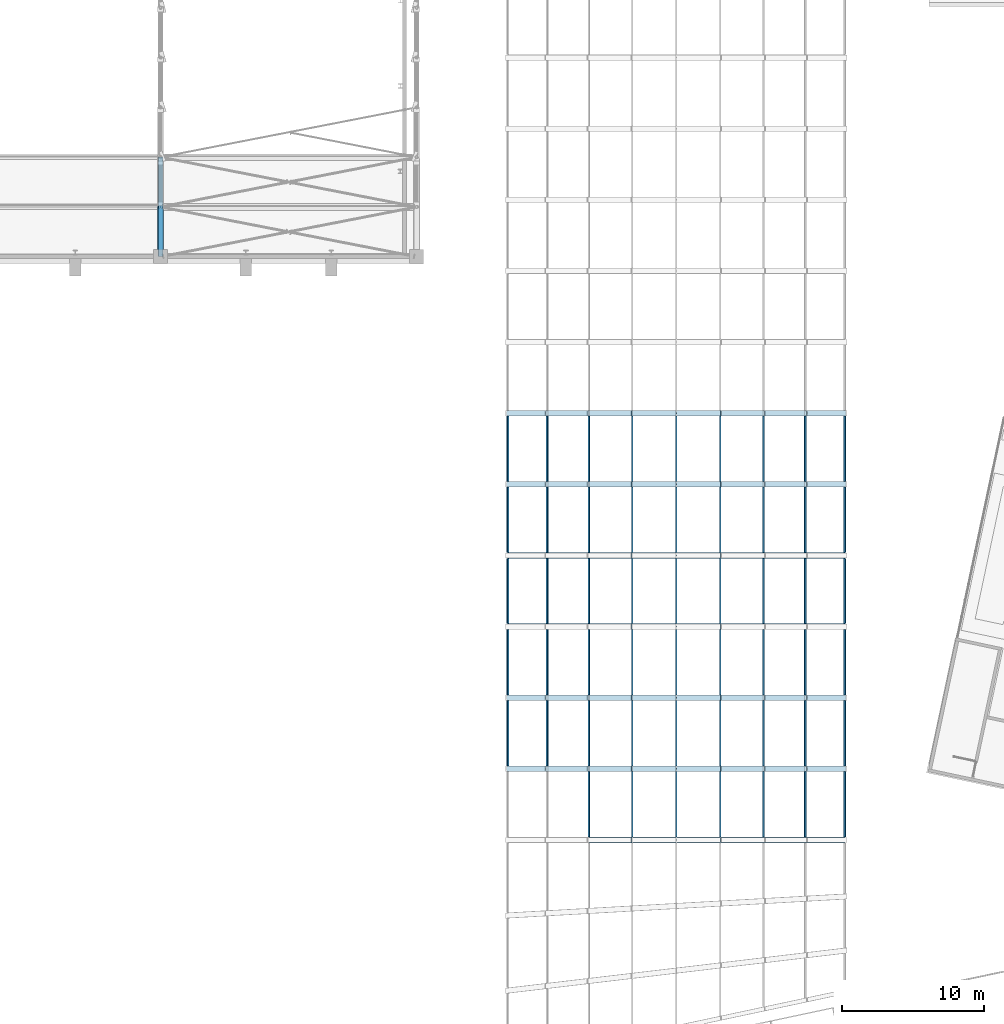
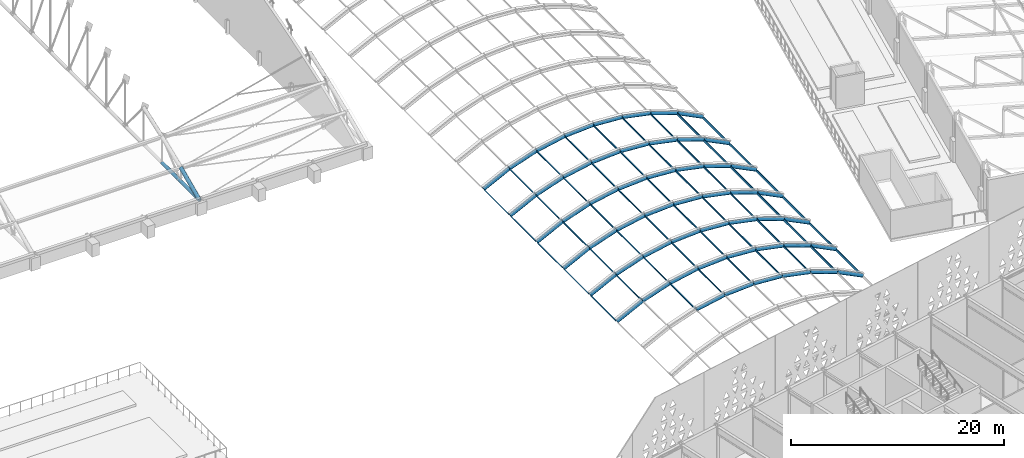
# One storey, part 43 of 196: 108 members.
"""IFC4 building model written with IfcOpenShell, lengths in metres."""

from ifc_helpers import new_model, si_unit, direction, frame, origin, origin_2d, place, context, subcontext, project, spatial, hollow_rectangle, hollow_circle, extrude, material, material_profile, profile_set, type_object, element, save


model = new_model("IFC4")

# Units and contexts
model_context = context("Model", 3, precision=1e-05, world=origin(), true_north=direction((0.0, 1.0)))
body_context = subcontext(model_context, "Body", "Model", "MODEL_VIEW")
ifc_project = project(units=[si_unit("LENGTHUNIT", "METRE"), si_unit("AREAUNIT", "SQUARE_METRE"), si_unit("VOLUMEUNIT", "CUBIC_METRE"), si_unit("PLANEANGLEUNIT", "RADIAN"), si_unit("MASSUNIT", "GRAM", prefix="KILO")], contexts=[model_context])

# Site, building, storey
site_placement = place(None, origin())
site = spatial("IfcSite", under=ifc_project, at=site_placement, CompositionType="ELEMENT")
building_placement = place(site_placement, origin())
building = spatial("IfcBuilding", under=site, at=building_placement, Name="Okhra Congress Centre", CompositionType="ELEMENT")
storey_placement = place(building_placement, frame((0.0, 0.0, 12.0)))
storey = spatial("IfcBuildingStorey", under=building, at=storey_placement, Name="L02", CompositionType="ELEMENT", Elevation=12.0)

# Members
ifc_material_1 = material(Name="Steel S355J2H", Category="steel")
ifc_material_profile_1 = material_profile(ifc_material_1, hollow_circle(Radius=0.177734375, WallThickness=0.02490234375, at=origin_2d()), Name="CHS 355.6x25.0")
ifc_profile_set_1 = profile_set([ifc_material_profile_1], Name="Steel S355J2H")
member_type_1 = type_object("IfcMemberType", Name="CHS 355.6x25.0", PredefinedType="CHORD", material=ifc_profile_set_1)
member_1_placement = place(storey_placement, frame((136.0, 132.0, 1.39990234375), z_axis=(0.0, 1.0, 0.0), x_axis=(-1.0, 0.0, 0.0)))
element("IfcMember", 1, at=member_1_placement, inside=storey, type_object=member_type_1, Name="EH.MEM.L02.T7-BOT-01", PredefinedType="CHORD", context=body_context, shape_type="SweptSolid", body=[
    extrude(hollow_circle(Radius=0.177734375, WallThickness=0.02490234375, at=origin_2d()), origin(), (0.0, 0.0, 1.0), 7.0),
])
ifc_material_profile_2 = material_profile(ifc_material_1, hollow_circle(Radius=0.203125, WallThickness=0.02490234375, at=origin_2d()), Name="CHS 406.4x25.0")
ifc_profile_set_2 = profile_set([ifc_material_profile_2], Name="Steel S355J2H")
member_type_2 = type_object("IfcMemberType", Name="CHS 406.4x25.0", PredefinedType="CHORD", material=ifc_profile_set_2)
member_2_placement = place(storey_placement, frame((136.0, 132.0, 1.39990234375), z_axis=(0.0, 0.912710800597, 0.408606160591), x_axis=(-1.0, 0.0, 0.0)))
element("IfcMember", 2, at=member_2_placement, inside=storey, type_object=member_type_2, Name="EH.MEM.L02.T7-TOP-01", PredefinedType="CHORD", context=body_context, shape_type="SweptSolid", body=[
    extrude(hollow_circle(Radius=0.203125, WallThickness=0.02490234375, at=origin_2d()), origin(), (0.0, 0.0, 1.0), 3.834716796875),
])
ifc_material_2 = material(Name="Steel S355J2", Category="steel")
ifc_material_profile_3 = material_profile(ifc_material_2, hollow_rectangle(XDim=0.10009765625, YDim=0.14990234375, WallThickness=0.00634765625, at=origin_2d()), Name="RHS 150x100x6.3")
ifc_profile_set_3 = profile_set([ifc_material_profile_3], Name="Steel S355J2")
member_type_3 = type_object("IfcMemberType", Name="Steel purlin RHS 150x100x6.3", PredefinedType="PURLIN", material=ifc_profile_set_3)
for number, where, z_axis, x_axis, name in (
    (3, (166.109619140625, 91.203125, 3.18505859375), (0.0, 1.0, 0.0), (-0.965379940391, 0.0, -0.260847792191), "Vault purlin 4.4"),
    (4, (169.15283203125, 91.203125, 3.79541015625), (0.0, 1.0, 0.0), (-0.991307202734, 0.0, -0.131567586459), "Vault purlin 4.5"),
    (5, (172.25, 91.203125, 4.0), (0.0, 1.0, 0.0), (-1.0, 0.0, 0.0), "Vault purlin 4.6"),
    (6, (175.34716796875, 91.203125, 3.79541015625), (0.0, 1.0, 0.0), (-0.991307202734, 0.0, 0.131567586459), "Vault purlin 4.7"),
    (7, (178.390380859375, 91.203125, 3.18505859375), (0.0, 1.0, 0.0), (-0.965379940391, 0.0, 0.260847792191), "Vault purlin 4.8"),
    (8, (166.109619140625, 96.203125, 3.18505859375), (0.0, 1.0, 0.0), (-0.965379940391, 0.0, -0.260847792191), "Vault purlin 5.4"),
    (9, (169.15283203125, 96.203125, 3.79541015625), (0.0, 1.0, 0.0), (-0.991307202734, 0.0, -0.131567586459), "Vault purlin 5.5"),
    (10, (172.25, 96.203125, 4.0), (0.0, 1.0, 0.0), (-1.0, 0.0, 0.0), "Vault purlin 5.6"),
    (11, (175.34716796875, 96.203125, 3.79541015625), (0.0, 1.0, 0.0), (-0.991307202734, 0.0, 0.131567586459), "Vault purlin 5.7"),
    (12, (178.390380859375, 96.203125, 3.18505859375), (0.0, 1.0, 0.0), (-0.965379940391, 0.0, 0.260847792191), "Vault purlin 5.8"),
    (13, (166.109619140625, 101.203125, 3.18505859375), (0.0, 1.0, 0.0), (-0.965379940391, 0.0, -0.260847792191), "Vault purlin 6.4"),
    (14, (169.15283203125, 101.203125, 3.79541015625), (0.0, 1.0, 0.0), (-0.991307202734, 0.0, -0.131567586459), "Vault purlin 6.5"),
    (15, (172.25, 101.203125, 4.0), (0.0, 1.0, 0.0), (-1.0, 0.0, 0.0), "Vault purlin 6.6"),
    (16, (175.34716796875, 101.203125, 3.79541015625), (0.0, 1.0, 0.0), (-0.991307202734, 0.0, 0.131567586459), "Vault purlin 6.7"),
    (17, (178.390380859375, 101.203125, 3.18505859375), (0.0, 1.0, 0.0), (-0.965379940391, 0.0, 0.260847792191), "Vault purlin 6.8"),
    (18, (166.109619140625, 106.203125, 3.18505859375), (0.0, 1.0, 0.0), (-0.965379940391, 0.0, -0.260847792191), "Vault purlin 7.4"),
    (19, (169.15283203125, 106.203125, 3.79541015625), (0.0, 1.0, 0.0), (-0.991307202734, 0.0, -0.131567586459), "Vault purlin 7.5"),
    (20, (172.25, 106.203125, 4.0), (0.0, 1.0, 0.0), (-1.0, 0.0, 0.0), "Vault purlin 7.6"),
    (21, (175.34716796875, 106.203125, 3.79541015625), (0.0, 1.0, 0.0), (-0.991307202734, 0.0, 0.131567586459), "Vault purlin 7.7"),
    (22, (178.390380859375, 106.203125, 3.18505859375), (0.0, 1.0, 0.0), (-0.965379940391, 0.0, 0.260847792191), "Vault purlin 7.8"),
    (23, (166.109619140625, 111.203125, 3.18505859375), (0.0, 1.0, 0.0), (-0.965379940391, 0.0, -0.260847792191), "Vault purlin 8.4"),
    (24, (169.15283203125, 111.203125, 3.79541015625), (0.0, 1.0, 0.0), (-0.991307202734, 0.0, -0.131567586459), "Vault purlin 8.5"),
    (25, (172.25, 111.203125, 4.0), (0.0, 1.0, 0.0), (-1.0, 0.0, 0.0), "Vault purlin 8.6"),
    (26, (175.34716796875, 111.203125, 3.79541015625), (0.0, 1.0, 0.0), (-0.991307202734, 0.0, 0.131567586459), "Vault purlin 8.7"),
    (27, (178.390380859375, 111.203125, 3.18505859375), (0.0, 1.0, 0.0), (-0.965379940391, 0.0, 0.260847792191), "Vault purlin 8.8"),
    (28, (166.109619140625, 116.203125, 3.18505859375), (0.0, 1.0, 0.0), (-0.965379940391, 0.0, -0.260847792191), "Vault purlin 9.4"),
    (29, (169.15283203125, 116.203125, 3.79541015625), (0.0, 1.0, 0.0), (-0.991307202734, 0.0, -0.131567586459), "Vault purlin 9.5"),
    (30, (172.25, 116.203125, 4.0), (0.0, 1.0, 0.0), (-1.0, 0.0, 0.0), "Vault purlin 9.6"),
    (31, (175.34716796875, 116.203125, 3.79541015625), (0.0, 1.0, 0.0), (-0.991307202734, 0.0, 0.131567586459), "Vault purlin 9.7"),
    (32, (178.390380859375, 116.203125, 3.18505859375), (0.0, 1.0, 0.0), (-0.965379940391, 0.0, 0.260847792191), "Vault purlin 9.8"),
):
    element("IfcMember", number, at=place(storey_placement, frame(where, z_axis=z_axis, x_axis=x_axis)), inside=storey, type_object=member_type_3, Name=name, PredefinedType="PURLIN", context=body_context, shape_type="SweptSolid", body=[
        extrude(hollow_rectangle(XDim=0.10009765625, YDim=0.14990234375, WallThickness=0.00634765625, at=origin_2d()), origin(), (0.0, 0.0, 1.0), 4.59375),
    ])
ifc_material_profile_4 = material_profile(ifc_material_2, hollow_rectangle(XDim=0.10009765625, YDim=0.199951171875, WallThickness=0.008056640625, at=origin_2d()), Name="RHS 200x100x8")
ifc_profile_set_4 = profile_set([ifc_material_profile_4], Name="Steel S355J2")
member_type_4 = type_object("IfcMemberType", Name="Steel purlin RHS 200x100x8", PredefinedType="PURLIN", material=ifc_profile_set_4)
for number, where, z_axis, x_axis, name in (
    (33, (181.3173828125, 91.203125, 2.156494140625), (0.0, 1.0, 0.0), (-0.922668973833, 0.0, 0.38559300399), "Vault purlin 4.9"),
    (34, (184.093017578125, 91.203125, 0.77490234375), (0.0, 1.0, 0.0), (-0.86391685861, 0.0, 0.503634452167), "Vault purlin 4.10"),
    (35, (160.406982421875, 96.203125, 0.77490234375), (0.0, 1.0, 0.0), (-0.86391685861, 0.0, -0.503634452167), "Vault purlin 5.2"),
    (36, (163.1826171875, 96.203125, 2.156494140625), (0.0, 1.0, 0.0), (-0.922668973833, 0.0, -0.38559300399), "Vault purlin 5.3"),
    (37, (181.3173828125, 96.203125, 2.156494140625), (0.0, 1.0, 0.0), (-0.922668973833, 0.0, 0.38559300399), "Vault purlin 5.9"),
    (38, (184.093017578125, 96.203125, 0.77490234375), (0.0, 1.0, 0.0), (-0.86391685861, 0.0, 0.503634452167), "Vault purlin 5.10"),
    (39, (160.406982421875, 101.203125, 0.77490234375), (0.0, 1.0, 0.0), (-0.86391685861, 0.0, -0.503634452167), "Vault purlin 6.2"),
    (40, (163.1826171875, 101.203125, 2.156494140625), (0.0, 1.0, 0.0), (-0.922668973833, 0.0, -0.38559300399), "Vault purlin 6.3"),
    (41, (181.3173828125, 101.203125, 2.156494140625), (0.0, 1.0, 0.0), (-0.922668973833, 0.0, 0.38559300399), "Vault purlin 6.9"),
    (42, (184.093017578125, 101.203125, 0.77490234375), (0.0, 1.0, 0.0), (-0.86391685861, 0.0, 0.503634452167), "Vault purlin 6.10"),
    (43, (160.406982421875, 106.203125, 0.77490234375), (0.0, 1.0, 0.0), (-0.86391685861, 0.0, -0.503634452167), "Vault purlin 7.2"),
    (44, (163.1826171875, 106.203125, 2.156494140625), (0.0, 1.0, 0.0), (-0.922668973833, 0.0, -0.38559300399), "Vault purlin 7.3"),
    (45, (181.3173828125, 106.203125, 2.156494140625), (0.0, 1.0, 0.0), (-0.922668973833, 0.0, 0.38559300399), "Vault purlin 7.9"),
    (46, (184.093017578125, 106.203125, 0.77490234375), (0.0, 1.0, 0.0), (-0.86391685861, 0.0, 0.503634452167), "Vault purlin 7.10"),
    (47, (160.406982421875, 111.203125, 0.77490234375), (0.0, 1.0, 0.0), (-0.86391685861, 0.0, -0.503634452167), "Vault purlin 8.2"),
    (48, (163.1826171875, 111.203125, 2.156494140625), (0.0, 1.0, 0.0), (-0.922668973833, 0.0, -0.38559300399), "Vault purlin 8.3"),
    (49, (181.3173828125, 111.203125, 2.156494140625), (0.0, 1.0, 0.0), (-0.922668973833, 0.0, 0.38559300399), "Vault purlin 8.9"),
    (50, (184.093017578125, 111.203125, 0.77490234375), (0.0, 1.0, 0.0), (-0.86391685861, 0.0, 0.503634452167), "Vault purlin 8.10"),
    (51, (160.406982421875, 116.203125, 0.77490234375), (0.0, 1.0, 0.0), (-0.86391685861, 0.0, -0.503634452167), "Vault purlin 9.2"),
    (52, (163.1826171875, 116.203125, 2.156494140625), (0.0, 1.0, 0.0), (-0.922668973833, 0.0, -0.38559300399), "Vault purlin 9.3"),
    (53, (181.3173828125, 116.203125, 2.156494140625), (0.0, 1.0, 0.0), (-0.922668973833, 0.0, 0.38559300399), "Vault purlin 9.9"),
    (54, (184.093017578125, 116.203125, 0.77490234375), (0.0, 1.0, 0.0), (-0.86391685861, 0.0, 0.503634452167), "Vault purlin 9.10"),
):
    element("IfcMember", number, at=place(storey_placement, frame(where, z_axis=z_axis, x_axis=x_axis)), inside=storey, type_object=member_type_4, Name=name, PredefinedType="PURLIN", context=body_context, shape_type="SweptSolid", body=[
        extrude(hollow_rectangle(XDim=0.10009765625, YDim=0.199951171875, WallThickness=0.008056640625, at=origin_2d()), origin(), (0.0, 0.0, 1.0), 4.59375),
    ])
ifc_material_profile_5 = material_profile(ifc_material_2, hollow_circle(Radius=0.203125, WallThickness=0.01611328125, at=origin_2d()), Name="CHS 406.4x16")
ifc_profile_set_5 = profile_set([ifc_material_profile_5], Name="Steel S355J2")
member_type_5 = type_object("IfcMemberType", Name="Tubular steel arch rib CHS 406x16", PredefinedType="USERDEFINED", material=ifc_profile_set_5)
for number, where, z_axis, x_axis, name in (
    (55, (166.122802734375, 91.0, 3.187744140625), (0.980479837883, 0.0, 0.196619651879), (0.0, 1.0, 0.0), "Arch rib 4.5"),
    (56, (169.166259765625, 91.0, 3.796142578125), (0.997823956231, 0.0, 0.065934455123), (0.0, 1.0, 0.0), "Arch rib 4.6"),
    (57, (172.263427734375, 91.0, 3.9990234375), (0.997823956231, 0.0, -0.065934455123), (0.0, 1.0, 0.0), "Arch rib 4.7"),
    (58, (175.3603515625, 91.0, 3.792724609375), (0.980479837883, 0.0, -0.196619651879), (0.0, 1.0, 0.0), "Arch rib 4.8"),
):
    element("IfcMember", number, at=place(storey_placement, frame(where, z_axis=z_axis, x_axis=x_axis)), inside=storey, type_object=member_type_5, Name=name, ObjectType="Arch rib", PredefinedType="USERDEFINED", context=body_context, shape_type="SweptSolid", body=[
        extrude(hollow_circle(Radius=0.203125, WallThickness=0.01611328125, at=origin_2d()), origin(), (0.0, 0.0, 1.0), 3.076904296875),
    ])
for number, where, z_axis, x_axis, name in (
    (59, (178.4033203125, 91.0, 3.1806640625), (0.946089135599, 0.0, -0.323906386942), (0.0, 1.0, 0.0), "Arch rib 4.9"),
    (60, (181.339111328125, 91.0, 2.173583984375), (0.895219276519, 0.0, -0.44562590471), (0.0, 1.0, 0.0), "Arch rib 4.10"),
    (61, (160.406494140625, 96.0, 0.802490234375), (0.895219276519, 0.0, 0.44562590471), (0.0, 1.0, 0.0), "Arch rib 5.3"),
    (62, (163.185791015625, 96.0, 2.18408203125), (0.946089135599, 0.0, 0.323906386942), (0.0, 1.0, 0.0), "Arch rib 5.4"),
):
    element("IfcMember", number, at=place(storey_placement, frame(where, z_axis=z_axis, x_axis=x_axis)), inside=storey, type_object=member_type_5, Name=name, ObjectType="Arch rib", PredefinedType="USERDEFINED", context=body_context, shape_type="SweptSolid", body=[
        extrude(hollow_circle(Radius=0.203125, WallThickness=0.01611328125, at=origin_2d()), origin(), (0.0, 0.0, 1.0), 3.07666015625),
    ])
for number, where, z_axis, x_axis, name in (
    (63, (166.122802734375, 96.0, 3.187744140625), (0.980479837883, 0.0, 0.196619651879), (0.0, 1.0, 0.0), "Arch rib 5.5"),
    (64, (169.166259765625, 96.0, 3.796142578125), (0.997823956231, 0.0, 0.065934455123), (0.0, 1.0, 0.0), "Arch rib 5.6"),
    (65, (172.263427734375, 96.0, 3.9990234375), (0.997823956231, 0.0, -0.065934455123), (0.0, 1.0, 0.0), "Arch rib 5.7"),
    (66, (175.3603515625, 96.0, 3.792724609375), (0.980479837883, 0.0, -0.196619651879), (0.0, 1.0, 0.0), "Arch rib 5.8"),
):
    element("IfcMember", number, at=place(storey_placement, frame(where, z_axis=z_axis, x_axis=x_axis)), inside=storey, type_object=member_type_5, Name=name, ObjectType="Arch rib", PredefinedType="USERDEFINED", context=body_context, shape_type="SweptSolid", body=[
        extrude(hollow_circle(Radius=0.203125, WallThickness=0.01611328125, at=origin_2d()), origin(), (0.0, 0.0, 1.0), 3.076904296875),
    ])
for number, where, z_axis, x_axis, name in (
    (67, (178.4033203125, 96.0, 3.1806640625), (0.946089135599, 0.0, -0.323906386942), (0.0, 1.0, 0.0), "Arch rib 5.9"),
    (68, (181.339111328125, 96.0, 2.173583984375), (0.895219276519, 0.0, -0.44562590471), (0.0, 1.0, 0.0), "Arch rib 5.10"),
    (69, (160.406494140625, 101.0, 0.802490234375), (0.895219276519, 0.0, 0.44562590471), (0.0, 1.0, 0.0), "Arch rib 6.3"),
    (70, (163.185791015625, 101.0, 2.18408203125), (0.946089135599, 0.0, 0.323906386942), (0.0, 1.0, 0.0), "Arch rib 6.4"),
):
    element("IfcMember", number, at=place(storey_placement, frame(where, z_axis=z_axis, x_axis=x_axis)), inside=storey, type_object=member_type_5, Name=name, ObjectType="Arch rib", PredefinedType="USERDEFINED", context=body_context, shape_type="SweptSolid", body=[
        extrude(hollow_circle(Radius=0.203125, WallThickness=0.01611328125, at=origin_2d()), origin(), (0.0, 0.0, 1.0), 3.07666015625),
    ])
for number, where, z_axis, x_axis, name in (
    (71, (166.122802734375, 101.0, 3.187744140625), (0.980479837883, 0.0, 0.196619651879), (0.0, 1.0, 0.0), "Arch rib 6.5"),
    (72, (169.166259765625, 101.0, 3.796142578125), (0.997823956231, 0.0, 0.065934455123), (0.0, 1.0, 0.0), "Arch rib 6.6"),
    (73, (172.263427734375, 101.0, 3.9990234375), (0.997823956231, 0.0, -0.065934455123), (0.0, 1.0, 0.0), "Arch rib 6.7"),
    (74, (175.3603515625, 101.0, 3.792724609375), (0.980479837883, 0.0, -0.196619651879), (0.0, 1.0, 0.0), "Arch rib 6.8"),
):
    element("IfcMember", number, at=place(storey_placement, frame(where, z_axis=z_axis, x_axis=x_axis)), inside=storey, type_object=member_type_5, Name=name, ObjectType="Arch rib", PredefinedType="USERDEFINED", context=body_context, shape_type="SweptSolid", body=[
        extrude(hollow_circle(Radius=0.203125, WallThickness=0.01611328125, at=origin_2d()), origin(), (0.0, 0.0, 1.0), 3.076904296875),
    ])
for number, where, z_axis, x_axis, name in (
    (75, (178.4033203125, 101.0, 3.1806640625), (0.946089135599, 0.0, -0.323906386942), (0.0, 1.0, 0.0), "Arch rib 6.9"),
    (76, (181.339111328125, 101.0, 2.173583984375), (0.895219276519, 0.0, -0.44562590471), (0.0, 1.0, 0.0), "Arch rib 6.10"),
    (77, (160.406494140625, 106.0, 0.802490234375), (0.895219276519, 0.0, 0.44562590471), (0.0, 1.0, 0.0), "Arch rib 7.3"),
    (78, (163.185791015625, 106.0, 2.18408203125), (0.946089135599, 0.0, 0.323906386942), (0.0, 1.0, 0.0), "Arch rib 7.4"),
):
    element("IfcMember", number, at=place(storey_placement, frame(where, z_axis=z_axis, x_axis=x_axis)), inside=storey, type_object=member_type_5, Name=name, ObjectType="Arch rib", PredefinedType="USERDEFINED", context=body_context, shape_type="SweptSolid", body=[
        extrude(hollow_circle(Radius=0.203125, WallThickness=0.01611328125, at=origin_2d()), origin(), (0.0, 0.0, 1.0), 3.07666015625),
    ])
for number, where, z_axis, x_axis, name in (
    (79, (166.122802734375, 106.0, 3.187744140625), (0.980479837883, 0.0, 0.196619651879), (0.0, 1.0, 0.0), "Arch rib 7.5"),
    (80, (169.166259765625, 106.0, 3.796142578125), (0.997823956231, 0.0, 0.065934455123), (0.0, 1.0, 0.0), "Arch rib 7.6"),
    (81, (172.263427734375, 106.0, 3.9990234375), (0.997823956231, 0.0, -0.065934455123), (0.0, 1.0, 0.0), "Arch rib 7.7"),
    (82, (175.3603515625, 106.0, 3.792724609375), (0.980479837883, 0.0, -0.196619651879), (0.0, 1.0, 0.0), "Arch rib 7.8"),
):
    element("IfcMember", number, at=place(storey_placement, frame(where, z_axis=z_axis, x_axis=x_axis)), inside=storey, type_object=member_type_5, Name=name, ObjectType="Arch rib", PredefinedType="USERDEFINED", context=body_context, shape_type="SweptSolid", body=[
        extrude(hollow_circle(Radius=0.203125, WallThickness=0.01611328125, at=origin_2d()), origin(), (0.0, 0.0, 1.0), 3.076904296875),
    ])
for number, where, z_axis, x_axis, name in (
    (83, (178.4033203125, 106.0, 3.1806640625), (0.946089135599, 0.0, -0.323906386942), (0.0, 1.0, 0.0), "Arch rib 7.9"),
    (84, (181.339111328125, 106.0, 2.173583984375), (0.895219276519, 0.0, -0.44562590471), (0.0, 1.0, 0.0), "Arch rib 7.10"),
    (85, (160.406494140625, 111.0, 0.802490234375), (0.895219276519, 0.0, 0.44562590471), (0.0, 1.0, 0.0), "Arch rib 8.3"),
    (86, (163.185791015625, 111.0, 2.18408203125), (0.946089135599, 0.0, 0.323906386942), (0.0, 1.0, 0.0), "Arch rib 8.4"),
):
    element("IfcMember", number, at=place(storey_placement, frame(where, z_axis=z_axis, x_axis=x_axis)), inside=storey, type_object=member_type_5, Name=name, ObjectType="Arch rib", PredefinedType="USERDEFINED", context=body_context, shape_type="SweptSolid", body=[
        extrude(hollow_circle(Radius=0.203125, WallThickness=0.01611328125, at=origin_2d()), origin(), (0.0, 0.0, 1.0), 3.07666015625),
    ])
for number, where, z_axis, x_axis, name in (
    (87, (166.122802734375, 111.0, 3.187744140625), (0.980479837883, 0.0, 0.196619651879), (0.0, 1.0, 0.0), "Arch rib 8.5"),
    (88, (169.166259765625, 111.0, 3.796142578125), (0.997823956231, 0.0, 0.065934455123), (0.0, 1.0, 0.0), "Arch rib 8.6"),
    (89, (172.263427734375, 111.0, 3.9990234375), (0.997823956231, 0.0, -0.065934455123), (0.0, 1.0, 0.0), "Arch rib 8.7"),
    (90, (175.3603515625, 111.0, 3.792724609375), (0.980479837883, 0.0, -0.196619651879), (0.0, 1.0, 0.0), "Arch rib 8.8"),
):
    element("IfcMember", number, at=place(storey_placement, frame(where, z_axis=z_axis, x_axis=x_axis)), inside=storey, type_object=member_type_5, Name=name, ObjectType="Arch rib", PredefinedType="USERDEFINED", context=body_context, shape_type="SweptSolid", body=[
        extrude(hollow_circle(Radius=0.203125, WallThickness=0.01611328125, at=origin_2d()), origin(), (0.0, 0.0, 1.0), 3.076904296875),
    ])
for number, where, z_axis, x_axis, name in (
    (91, (178.4033203125, 111.0, 3.1806640625), (0.946089135599, 0.0, -0.323906386942), (0.0, 1.0, 0.0), "Arch rib 8.9"),
    (92, (181.339111328125, 111.0, 2.173583984375), (0.895219276519, 0.0, -0.44562590471), (0.0, 1.0, 0.0), "Arch rib 8.10"),
    (93, (160.406494140625, 116.0, 0.802490234375), (0.895219276519, 0.0, 0.44562590471), (0.0, 1.0, 0.0), "Arch rib 9.3"),
    (94, (163.185791015625, 116.0, 2.18408203125), (0.946089135599, 0.0, 0.323906386942), (0.0, 1.0, 0.0), "Arch rib 9.4"),
):
    element("IfcMember", number, at=place(storey_placement, frame(where, z_axis=z_axis, x_axis=x_axis)), inside=storey, type_object=member_type_5, Name=name, ObjectType="Arch rib", PredefinedType="USERDEFINED", context=body_context, shape_type="SweptSolid", body=[
        extrude(hollow_circle(Radius=0.203125, WallThickness=0.01611328125, at=origin_2d()), origin(), (0.0, 0.0, 1.0), 3.07666015625),
    ])
for number, where, z_axis, x_axis, name in (
    (95, (166.122802734375, 116.0, 3.187744140625), (0.980479837883, 0.0, 0.196619651879), (0.0, 1.0, 0.0), "Arch rib 9.5"),
    (96, (169.166259765625, 116.0, 3.796142578125), (0.997823956231, 0.0, 0.065934455123), (0.0, 1.0, 0.0), "Arch rib 9.6"),
    (97, (172.263427734375, 116.0, 3.9990234375), (0.997823956231, 0.0, -0.065934455123), (0.0, 1.0, 0.0), "Arch rib 9.7"),
    (98, (175.3603515625, 116.0, 3.792724609375), (0.980479837883, 0.0, -0.196619651879), (0.0, 1.0, 0.0), "Arch rib 9.8"),
):
    element("IfcMember", number, at=place(storey_placement, frame(where, z_axis=z_axis, x_axis=x_axis)), inside=storey, type_object=member_type_5, Name=name, ObjectType="Arch rib", PredefinedType="USERDEFINED", context=body_context, shape_type="SweptSolid", body=[
        extrude(hollow_circle(Radius=0.203125, WallThickness=0.01611328125, at=origin_2d()), origin(), (0.0, 0.0, 1.0), 3.076904296875),
    ])
for number, where, z_axis, x_axis, name in (
    (99, (178.4033203125, 116.0, 3.1806640625), (0.946089135599, 0.0, -0.323906386942), (0.0, 1.0, 0.0), "Arch rib 9.9"),
    (100, (181.339111328125, 116.0, 2.173583984375), (0.895219276519, 0.0, -0.44562590471), (0.0, 1.0, 0.0), "Arch rib 9.10"),
    (101, (160.406494140625, 121.0, 0.802490234375), (0.895219276519, 0.0, 0.44562590471), (0.0, 1.0, 0.0), "Arch rib 10.3"),
    (102, (163.185791015625, 121.0, 2.18408203125), (0.946089135599, 0.0, 0.323906386942), (0.0, 1.0, 0.0), "Arch rib 10.4"),
):
    element("IfcMember", number, at=place(storey_placement, frame(where, z_axis=z_axis, x_axis=x_axis)), inside=storey, type_object=member_type_5, Name=name, ObjectType="Arch rib", PredefinedType="USERDEFINED", context=body_context, shape_type="SweptSolid", body=[
        extrude(hollow_circle(Radius=0.203125, WallThickness=0.01611328125, at=origin_2d()), origin(), (0.0, 0.0, 1.0), 3.07666015625),
    ])
for number, where, z_axis, x_axis, name in (
    (103, (166.122802734375, 121.0, 3.187744140625), (0.980479837883, 0.0, 0.196619651879), (0.0, 1.0, 0.0), "Arch rib 10.5"),
    (104, (169.166259765625, 121.0, 3.796142578125), (0.997823956231, 0.0, 0.065934455123), (0.0, 1.0, 0.0), "Arch rib 10.6"),
    (105, (172.263427734375, 121.0, 3.9990234375), (0.997823956231, 0.0, -0.065934455123), (0.0, 1.0, 0.0), "Arch rib 10.7"),
    (106, (175.3603515625, 121.0, 3.792724609375), (0.980479837883, 0.0, -0.196619651879), (0.0, 1.0, 0.0), "Arch rib 10.8"),
):
    element("IfcMember", number, at=place(storey_placement, frame(where, z_axis=z_axis, x_axis=x_axis)), inside=storey, type_object=member_type_5, Name=name, ObjectType="Arch rib", PredefinedType="USERDEFINED", context=body_context, shape_type="SweptSolid", body=[
        extrude(hollow_circle(Radius=0.203125, WallThickness=0.01611328125, at=origin_2d()), origin(), (0.0, 0.0, 1.0), 3.076904296875),
    ])
for number, where, z_axis, x_axis, name in (
    (107, (178.4033203125, 121.0, 3.1806640625), (0.946089135599, 0.0, -0.323906386942), (0.0, 1.0, 0.0), "Arch rib 10.9"),
    (108, (181.339111328125, 121.0, 2.173583984375), (0.895219276519, 0.0, -0.44562590471), (0.0, 1.0, 0.0), "Arch rib 10.10"),
):
    element("IfcMember", number, at=place(storey_placement, frame(where, z_axis=z_axis, x_axis=x_axis)), inside=storey, type_object=member_type_5, Name=name, ObjectType="Arch rib", PredefinedType="USERDEFINED", context=body_context, shape_type="SweptSolid", body=[
        extrude(hollow_circle(Radius=0.203125, WallThickness=0.01611328125, at=origin_2d()), origin(), (0.0, 0.0, 1.0), 3.07666015625),
    ])

save(model, "model.ifc")
